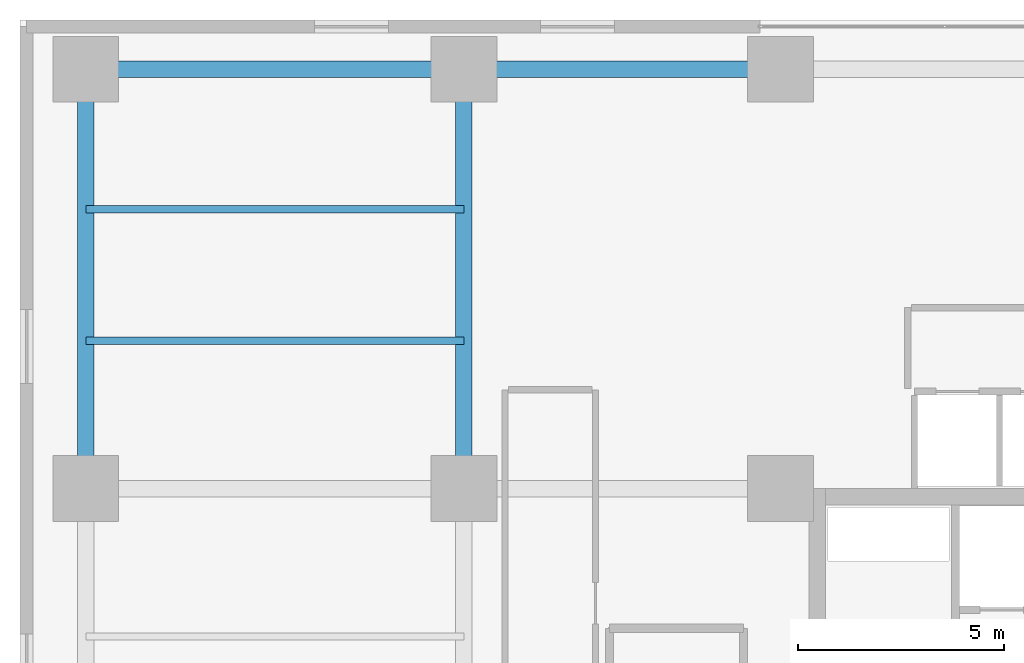
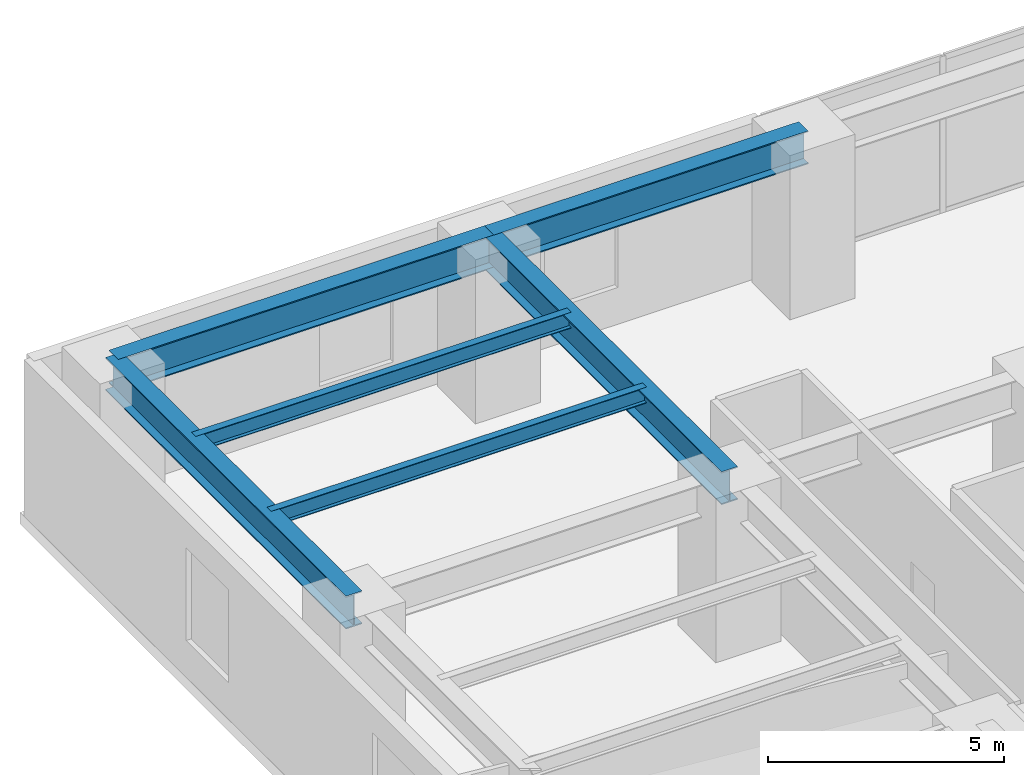
# One storey, part 10 of 25: 6 beams.
"""IFC4 building model written with IfcOpenShell, lengths in metres."""

from ifc_helpers import new_model, si_unit, direction, frame, origin, origin_2d, place, context, subcontext, project, spatial, i_section, extrude, material, material_profile, profile_set, type_object, element, save


model = new_model("IFC4")

# Units and contexts
model_context = context("Model", 3, precision=1e-05, world=origin(), true_north=direction((0.0, 1.0)))
body_context = subcontext(model_context, "Body", "Model", "MODEL_VIEW")
ifc_project = project(units=[si_unit("LENGTHUNIT", "METRE"), si_unit("AREAUNIT", "SQUARE_METRE"), si_unit("VOLUMEUNIT", "CUBIC_METRE"), si_unit("PLANEANGLEUNIT", "RADIAN"), si_unit("MASSUNIT", "GRAM", prefix="KILO")], contexts=[model_context])

# Site, building, storey
site_placement = place(None, origin())
site = spatial("IfcSite", under=ifc_project, at=site_placement, CompositionType="ELEMENT")
building_placement = place(site_placement, origin())
building = spatial("IfcBuilding", under=site, at=building_placement, Name="Talar Marvaseh", CompositionType="ELEMENT")
storey_placement = place(building_placement, frame((0.0, 0.0, 14.39990234375)))
storey = spatial("IfcBuildingStorey", under=building, at=storey_placement, Name="L03", CompositionType="ELEMENT", Elevation=14.39990234375)

# Beams
ifc_material = material(Name="Steel S355", Category="steel")
ifc_material_profile_1 = material_profile(ifc_material, i_section(OverallWidth=0.39990234375, OverallDepth=0.85498046875, WebThickness=0.018310546875, FlangeThickness=0.029296875, at=origin_2d()), Name="W840x299")
ifc_profile_set_1 = profile_set([ifc_material_profile_1], Name="Steel S355")
beam_type_1 = type_object("IfcBeamType", Name="Concourse Primary Girder W840x299", PredefinedType="BEAM", material=ifc_profile_set_1)
beam_1_placement = place(storey_placement, frame((1.60009765625, 46.800048828125, 3.822509765625), z_axis=(1.0, 0.0, 0.0), x_axis=(0.0, 1.0, 0.0)))
element("IfcBeam", 1, at=beam_1_placement, inside=storey, type_object=beam_type_1, Name="L03 Concourse Primary Girder W840x299", PredefinedType="BEAM", context=body_context, shape_type="SweptSolid", body=[
    extrude(i_section(OverallWidth=0.39990234375, OverallDepth=0.85498046875, WebThickness=0.018310546875, FlangeThickness=0.029296875, at=origin_2d()), origin(), (0.0, 0.0, 1.0), 9.199951171875),
])
beam_2_placement = place(storey_placement, frame((10.800048828125, 46.800048828125, 3.822509765625), z_axis=(1.0, 0.0, 0.0), x_axis=(0.0, 1.0, 0.0)))
element("IfcBeam", 2, at=beam_2_placement, inside=storey, type_object=beam_type_1, Name="L03 Concourse Primary Girder W840x299", PredefinedType="BEAM", context=body_context, shape_type="SweptSolid", body=[
    extrude(i_section(OverallWidth=0.39990234375, OverallDepth=0.85498046875, WebThickness=0.018310546875, FlangeThickness=0.029296875, at=origin_2d()), origin(), (0.0, 0.0, 1.0), 7.699951171875),
])
for number, where, z_axis, x_axis, name in (
    (3, (1.60009765625, 36.60009765625, 3.822509765625), (0.0, 1.0, 0.0), (-1.0, 0.0, 0.0), "L03 Concourse Primary Girder W840x299"),
    (4, (10.800048828125, 36.60009765625, 3.822509765625), (0.0, 1.0, 0.0), (-1.0, 0.0, 0.0), "L03 Concourse Primary Girder W840x299"),
):
    element("IfcBeam", number, at=place(storey_placement, frame(where, z_axis=z_axis, x_axis=x_axis)), inside=storey, type_object=beam_type_1, Name=name, PredefinedType="BEAM", context=body_context, shape_type="SweptSolid", body=[
        extrude(i_section(OverallWidth=0.39990234375, OverallDepth=0.85498046875, WebThickness=0.018310546875, FlangeThickness=0.029296875, at=origin_2d()), origin(), (0.0, 0.0, 1.0), 10.199951171875),
    ])
ifc_material_profile_2 = material_profile(ifc_material, i_section(OverallWidth=0.179931640625, OverallDepth=0.4130859375, WebThickness=0.009765625, FlangeThickness=0.01611328125, at=origin_2d()), Name="W410x75")
ifc_profile_set_2 = profile_set([ifc_material_profile_2], Name="Steel S355")
beam_type_2 = type_object("IfcBeamType", Name="Zone 1 Secondary Floor Joist W410x75", PredefinedType="JOIST", material=ifc_profile_set_2)
for number, where, z_axis, x_axis, name in (
    (5, (1.60009765625, 40.199951171875, 4.043701171875), (1.0, 0.0, 0.0), (0.0, 1.0, 0.0), "L03 Zone 1 Secondary Floor Joist W410x75"),
    (6, (1.60009765625, 43.39990234375, 4.043701171875), (1.0, 0.0, 0.0), (0.0, 1.0, 0.0), "L03 Zone 1 Secondary Floor Joist W410x75"),
):
    element("IfcBeam", number, at=place(storey_placement, frame(where, z_axis=z_axis, x_axis=x_axis)), inside=storey, type_object=beam_type_2, Name=name, PredefinedType="JOIST", context=body_context, shape_type="SweptSolid", body=[
        extrude(i_section(OverallWidth=0.179931640625, OverallDepth=0.4130859375, WebThickness=0.009765625, FlangeThickness=0.01611328125, at=origin_2d()), origin(), (0.0, 0.0, 1.0), 9.199951171875),
    ])

save(model, "model.ifc")
